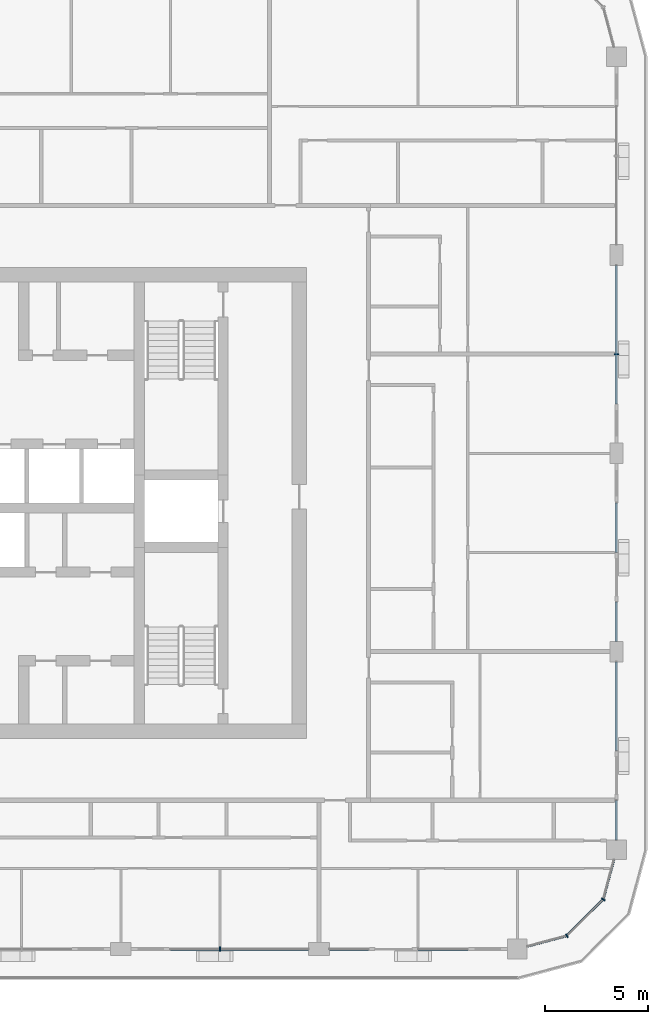
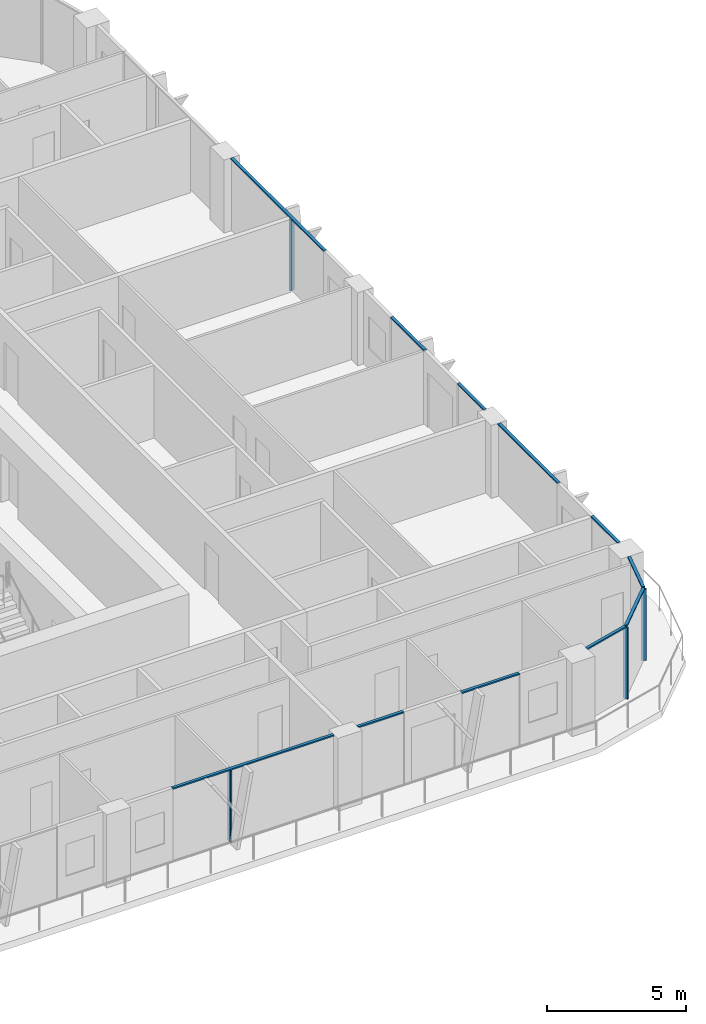
# One storey, part 4 of 23: 15 members, 6 elements without a shape of their own.
"""IFC4 building model written with IfcOpenShell, lengths in metres."""

from ifc_helpers import new_model, si_unit, direction, frame, origin, origin_2d, place, context, subcontext, project, spatial, rectangle, extrude, material, layer, layer_set, material_profile, profile_set, type_object, element, aggregate, save


model = new_model("IFC4")

# Units and contexts
model_context = context("Model", 3, precision=1e-05, world=origin(), true_north=direction((0.0, 1.0)))
body_context = subcontext(model_context, "Body", "Model", "MODEL_VIEW")
ifc_project = project(units=[si_unit("LENGTHUNIT", "METRE"), si_unit("AREAUNIT", "SQUARE_METRE"), si_unit("VOLUMEUNIT", "CUBIC_METRE"), si_unit("PLANEANGLEUNIT", "RADIAN"), si_unit("MASSUNIT", "GRAM", prefix="KILO")], contexts=[model_context])

# Site, building, storey
site_placement = place(None, origin())
site = spatial("IfcSite", under=ifc_project, at=site_placement, CompositionType="ELEMENT")
building_placement = place(site_placement, origin())
building = spatial("IfcBuilding", under=site, at=building_placement, Name="Madar Terraces", CompositionType="ELEMENT")
storey_placement = place(building_placement, frame((0.0, 0.0, 222.800048828125)))
storey = spatial("IfcBuildingStorey", under=building, at=storey_placement, Name="L58", CompositionType="ELEMENT", Elevation=222.800048828125)

# Curtain wall, member
ifc_material_1 = material(Name="Glass, ceramic frit dark grey, with black aluminium frame", Category="aluminium")
ifc_layer = layer(ifc_material_1, 0.199951171875)
ifc_layer_set = layer_set([ifc_layer], Name="Facade curtain wall, fritted glass")
curtain_wall_type = type_object("IfcCurtainWallType", Name="Facade curtain wall, fritted glass", PredefinedType="NOTDEFINED", material=ifc_layer_set)
curtain_wall_1_placement = place(storey_placement, origin())
curtain_wall_1 = element("IfcCurtainWall", 1, at=curtain_wall_1_placement, inside=storey, type_object=curtain_wall_type, Name="Outer skin curtain wall south bay 4", PredefinedType="NOTDEFINED")
ifc_material_2 = material(Name="Aluminium, black anodised", Category="aluminium")
ifc_material_profile_1 = material_profile(ifc_material_2, rectangle(XDim=0.199951171875, YDim=0.06005859375, at=origin_2d()), Name="Facade mullion 60x200")
ifc_profile_set_1 = profile_set([ifc_material_profile_1], Name="Aluminium, black anodised")
member_type_1 = type_object("IfcMemberType", Name="Facade mullion 60x200", PredefinedType="MULLION", material=ifc_profile_set_1)
member_1_placement = place(storey_placement, frame((43.199951171875, 4.800048828125, 0.0), z_axis=(0.0, 0.0, 1.0), x_axis=(0.0, 1.0, 0.0)))
member_1 = element("IfcMember", 2, at=member_1_placement, type_object=member_type_1, Name="Mullion 1", PredefinedType="MULLION", context=body_context, shape_type="SweptSolid", body=[
    extrude(rectangle(XDim=0.199951171875, YDim=0.06005859375, at=origin_2d()), origin(), (0.0, 0.0, 1.0), 3.139892578125),
])

curtain_wall_2_placement = place(storey_placement, origin())
curtain_wall_2 = element("IfcCurtainWall", 3, at=curtain_wall_2_placement, inside=storey, type_object=curtain_wall_type, Name="Outer skin curtain wall east bay 3", PredefinedType="NOTDEFINED")
member_2_placement = place(storey_placement, frame((62.39990234375, 33.60009765625, 0.0), z_axis=(0.0, 0.0, 1.0), x_axis=(-1.0, 0.0, 0.0)))
member_2 = element("IfcMember", 4, at=member_2_placement, type_object=member_type_1, Name="Mullion 1", PredefinedType="MULLION", context=body_context, shape_type="SweptSolid", body=[
    extrude(rectangle(XDim=0.199951171875, YDim=0.06005859375, at=origin_2d()), origin(), (0.0, 0.0, 1.0), 3.139892578125),
])

# Curtain wall, members
curtain_wall_3_placement = place(storey_placement, origin())
curtain_wall_3 = element("IfcCurtainWall", 5, at=curtain_wall_3_placement, inside=storey, type_object=curtain_wall_type, Name="Outer skin curtain wall south-east corner", PredefinedType="NOTDEFINED")
member_3_placement = place(storey_placement, frame((60.0, 5.443115234375, 0.0), z_axis=(0.0, 0.0, 1.0), x_axis=(-0.499999989586, 0.866025409797, 0.0)))
member_3 = element("IfcMember", 6, at=member_3_placement, type_object=member_type_1, Name="Mullion 1", PredefinedType="MULLION", context=body_context, shape_type="SweptSolid", body=[
    extrude(rectangle(XDim=0.199951171875, YDim=0.06005859375, at=origin_2d()), origin(), (0.0, 0.0, 1.0), 3.139892578125),
])
member_4_placement = place(storey_placement, frame((61.7568359375, 7.199951171875, 0.0), z_axis=(0.0, 0.0, 1.0), x_axis=(-0.866025409797, 0.499999989586, 0.0)))
member_4 = element("IfcMember", 7, at=member_4_placement, type_object=member_type_1, Name="Mullion 2", PredefinedType="MULLION", context=body_context, shape_type="SweptSolid", body=[
    extrude(rectangle(XDim=0.199951171875, YDim=0.06005859375, at=origin_2d()), origin(), (0.0, 0.0, 1.0), 3.139892578125),
])

# Member
ifc_material_3 = material(Name="Aluminium, black anodised", Category="aluminium")
ifc_material_profile_2 = material_profile(ifc_material_3, rectangle(XDim=0.1201171875, YDim=0.06005859375, at=origin_2d()), Name="Facade transom 60x120")
ifc_profile_set_2 = profile_set([ifc_material_profile_2], Name="Aluminium, black anodised")
member_type_2 = type_object("IfcMemberType", Name="Facade transom 60x120", PredefinedType="USERDEFINED", material=ifc_profile_set_2)
member_5_placement = place(storey_placement, frame((40.800048828125, 4.800048828125, 3.169921875), z_axis=(1.0, 0.0, 0.0), x_axis=(0.0, 1.0, 0.0)))
member_5 = element("IfcMember", 8, at=member_5_placement, type_object=member_type_2, Name="Transom 1", ObjectType="TRANSOM", PredefinedType="USERDEFINED", context=body_context, shape_type="SweptSolid", body=[
    extrude(rectangle(XDim=0.1201171875, YDim=0.06005859375, at=origin_2d()), origin(), (0.0, 0.0, 1.0), 6.699951171875),
])

aggregate(curtain_wall_1, [member_1, member_5])

# Curtain wall, members
curtain_wall_4_placement = place(storey_placement, origin())
curtain_wall_4 = element("IfcCurtainWall", 9, at=curtain_wall_4_placement, inside=storey, type_object=curtain_wall_type, Name="Outer skin curtain wall south bay 5", PredefinedType="NOTDEFINED")
member_6_placement = place(storey_placement, frame((48.5, 4.800048828125, 3.169921875), z_axis=(1.0, 0.0, 0.0), x_axis=(0.0, 1.0, 0.0)))
member_6 = element("IfcMember", 10, at=member_6_placement, type_object=member_type_2, Name="Transom 1", ObjectType="TRANSOM", PredefinedType="USERDEFINED", context=body_context, shape_type="SweptSolid", body=[
    extrude(rectangle(XDim=0.1201171875, YDim=0.06005859375, at=origin_2d()), origin(), (0.0, 0.0, 1.0), 1.89990234375),
])
member_7_placement = place(storey_placement, frame((52.800048828125, 4.800048828125, 3.169921875), z_axis=(1.0, 0.0, 0.0), x_axis=(0.0, 1.0, 0.0)))
member_7 = element("IfcMember", 11, at=member_7_placement, type_object=member_type_2, Name="Transom 2", ObjectType="TRANSOM", PredefinedType="USERDEFINED", context=body_context, shape_type="SweptSolid", body=[
    extrude(rectangle(XDim=0.1201171875, YDim=0.06005859375, at=origin_2d()), origin(), (0.0, 0.0, 1.0), 2.39990234375),
])
aggregate(curtain_wall_4, [member_6, member_7])

curtain_wall_5_placement = place(storey_placement, origin())
curtain_wall_5 = element("IfcCurtainWall", 12, at=curtain_wall_5_placement, inside=storey, type_object=curtain_wall_type, Name="Outer skin curtain wall east bay 1", PredefinedType="NOTDEFINED")
member_8_placement = place(storey_placement, frame((62.39990234375, 10.074951171875, 3.169921875), z_axis=(0.0, 1.0, 0.0), x_axis=(-1.0, 0.0, 0.0)))
member_8 = element("IfcMember", 13, at=member_8_placement, type_object=member_type_2, Name="Transom 1", ObjectType="TRANSOM", PredefinedType="USERDEFINED", context=body_context, shape_type="SweptSolid", body=[
    extrude(rectangle(XDim=0.1201171875, YDim=0.06005859375, at=origin_2d()), origin(), (0.0, 0.0, 1.0), 1.925048828125),
])
member_9_placement = place(storey_placement, frame((62.39990234375, 14.39990234375, 3.169921875), z_axis=(0.0, 1.0, 0.0), x_axis=(-1.0, 0.0, 0.0)))
member_9 = element("IfcMember", 14, at=member_9_placement, type_object=member_type_2, Name="Transom 2", ObjectType="TRANSOM", PredefinedType="USERDEFINED", context=body_context, shape_type="SweptSolid", body=[
    extrude(rectangle(XDim=0.1201171875, YDim=0.06005859375, at=origin_2d()), origin(), (0.0, 0.0, 1.0), 4.300048828125),
])
aggregate(curtain_wall_5, [member_8, member_9])

curtain_wall_6_placement = place(storey_placement, origin())
curtain_wall_6 = element("IfcCurtainWall", 15, at=curtain_wall_6_placement, inside=storey, type_object=curtain_wall_type, Name="Outer skin curtain wall east bay 2", PredefinedType="NOTDEFINED")
member_10_placement = place(storey_placement, frame((62.39990234375, 19.699951171875, 3.169921875), z_axis=(0.0, 1.0, 0.0), x_axis=(-1.0, 0.0, 0.0)))
member_10 = element("IfcMember", 16, at=member_10_placement, type_object=member_type_2, Name="Transom 1", ObjectType="TRANSOM", PredefinedType="USERDEFINED", context=body_context, shape_type="SweptSolid", body=[
    extrude(rectangle(XDim=0.1201171875, YDim=0.06005859375, at=origin_2d()), origin(), (0.0, 0.0, 1.0), 1.900146484375),
])
member_11_placement = place(storey_placement, frame((62.39990234375, 24.0, 3.169921875), z_axis=(0.0, 1.0, 0.0), x_axis=(-1.0, 0.0, 0.0)))
member_11 = element("IfcMember", 17, at=member_11_placement, type_object=member_type_2, Name="Transom 2", ObjectType="TRANSOM", PredefinedType="USERDEFINED", context=body_context, shape_type="SweptSolid", body=[
    extrude(rectangle(XDim=0.1201171875, YDim=0.06005859375, at=origin_2d()), origin(), (0.0, 0.0, 1.0), 2.39990234375),
])
aggregate(curtain_wall_6, [member_10, member_11])

# Member
member_12_placement = place(storey_placement, frame((62.39990234375, 31.199951171875, 3.169921875), z_axis=(0.0, 1.0, 0.0), x_axis=(-1.0, 0.0, 0.0)))
member_12 = element("IfcMember", 18, at=member_12_placement, type_object=member_type_2, Name="Transom 1", ObjectType="TRANSOM", PredefinedType="USERDEFINED", context=body_context, shape_type="SweptSolid", body=[
    extrude(rectangle(XDim=0.1201171875, YDim=0.06005859375, at=origin_2d()), origin(), (0.0, 0.0, 1.0), 6.699951171875),
])

aggregate(curtain_wall_2, [member_2, member_12])

member_13_placement = place(storey_placement, frame((58.074951171875, 4.92724609375, 3.169921875), z_axis=(0.96592251241, 0.258831412352, 0.0), x_axis=(-0.258831412352, 0.96592251241, 0.0)))
member_13 = element("IfcMember", 19, at=member_13_placement, type_object=member_type_2, Name="Transom 1", ObjectType="TRANSOM", PredefinedType="USERDEFINED", context=body_context, shape_type="SweptSolid", body=[
    extrude(rectangle(XDim=0.1201171875, YDim=0.06005859375, at=origin_2d()), origin(), (0.0, 0.0, 1.0), 1.962890625),
])

member_14_placement = place(storey_placement, frame((60.021240234375, 5.46435546875, 3.169921875), z_axis=(0.707106781187, 0.707106781187, 0.0), x_axis=(-0.707106781187, 0.707106781187, 0.0)))
member_14 = element("IfcMember", 20, at=member_14_placement, type_object=member_type_2, Name="Transom 2", ObjectType="TRANSOM", PredefinedType="USERDEFINED", context=body_context, shape_type="SweptSolid", body=[
    extrude(rectangle(XDim=0.1201171875, YDim=0.06005859375, at=origin_2d()), origin(), (0.0, 0.0, 1.0), 2.424560546875),
])

member_15_placement = place(storey_placement, frame((61.7646484375, 7.22900390625, 3.169921875), z_axis=(0.258831412352, 0.96592251241, 0.0), x_axis=(-0.96592251241, 0.258831412352, 0.0)))
member_15 = element("IfcMember", 21, at=member_15_placement, type_object=member_type_2, Name="Transom 3", ObjectType="TRANSOM", PredefinedType="USERDEFINED", context=body_context, shape_type="SweptSolid", body=[
    extrude(rectangle(XDim=0.1201171875, YDim=0.06005859375, at=origin_2d()), origin(), (0.0, 0.0, 1.0), 1.962890625),
])

aggregate(curtain_wall_3, [member_3, member_13, member_4, member_14, member_15])

save(model, "model.ifc")
